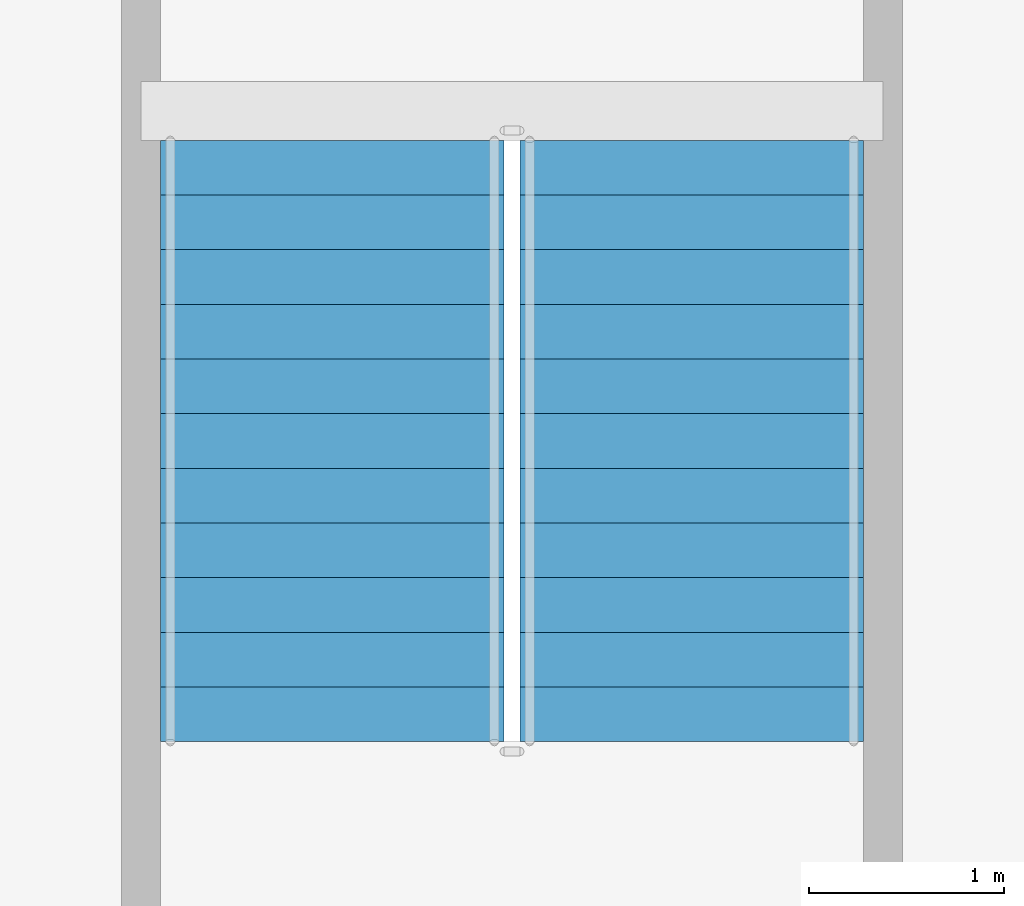
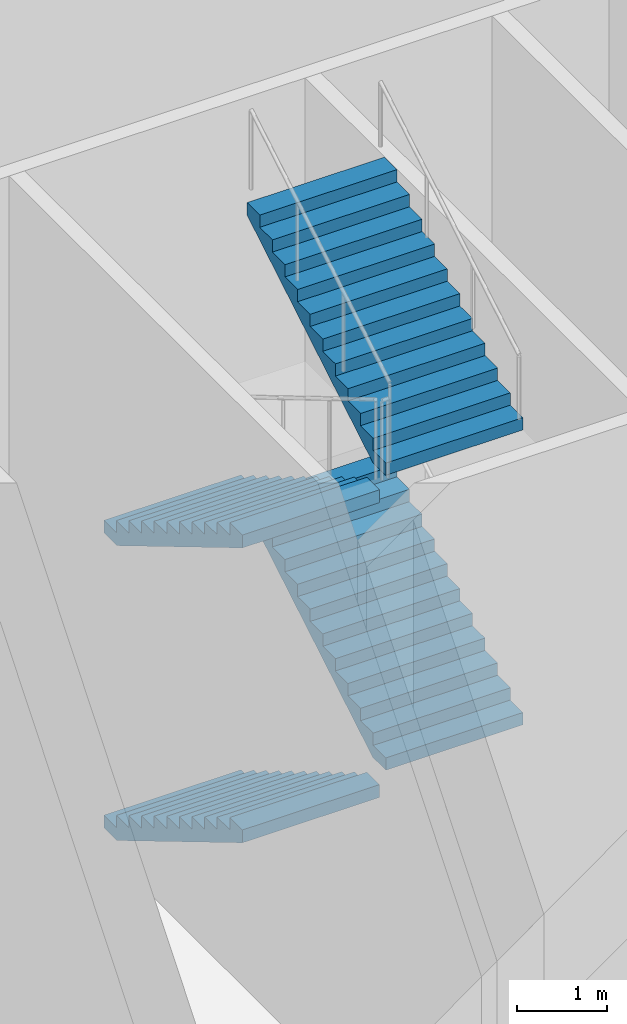
# One storey, part 44 of 55: 4 stair flights, 1 element without a shape of its own.
"""IFC4 building model written with IfcOpenShell, lengths in metres."""

from ifc_helpers import new_model, si_unit, direction, frame, origin, place, context, subcontext, project, spatial, faceted_brep, material, type_object, element, aggregate, save


model = new_model("IFC4")

# Units and contexts
model_context = context("Model", 3, precision=1e-05, world=origin(), true_north=direction((0.0, 1.0)))
body_context = subcontext(model_context, "Body", "Model", "MODEL_VIEW")
ifc_project = project(units=[si_unit("LENGTHUNIT", "METRE"), si_unit("AREAUNIT", "SQUARE_METRE"), si_unit("VOLUMEUNIT", "CUBIC_METRE"), si_unit("PLANEANGLEUNIT", "RADIAN"), si_unit("MASSUNIT", "GRAM", prefix="KILO")], contexts=[model_context])

# Site, building, storey
site_placement = place(None, origin())
site = spatial("IfcSite", under=ifc_project, at=site_placement, CompositionType="ELEMENT")
building_placement = place(site_placement, origin())
building = spatial("IfcBuilding", under=site, at=building_placement, Name="Tarsis Ring Headquarters", CompositionType="ELEMENT")
storey_placement = place(building_placement, frame((0.0, 0.0, 247.199951171875)))
storey = spatial("IfcBuildingStorey", under=building, at=storey_placement, Name="L58", CompositionType="ELEMENT", Elevation=247.199951171875)

# Stair, stair flights
ifc_material_1 = material(Name="Core stair 1760")
stair_type = type_object("IfcStairType", Name="Core stair 1760", PredefinedType="HALF_TURN_STAIR", material=ifc_material_1)
stair_placement = place(storey_placement, origin())
stair = element("IfcStair", 1, at=stair_placement, inside=storey, type_object=stair_type, Name="L58 Exit stair C", PredefinedType="HALF_TURN_STAIR")
ifc_material_2 = material(Name="Concrete C40/50", Category="concrete")
stair_flight_type = type_object("IfcStairFlightType", Name="Core stair flight 1760", PredefinedType="STRAIGHT", material=ifc_material_2)
stair_flight_1_placement = place(storey_placement, frame((-5.419921875, -3.659912109375, 0.0), z_axis=(0.0, 0.0, 1.0), x_axis=(0.0, -1.0, 0.0)))
stair_flight_1 = element("IfcStairFlight", 2, at=stair_flight_1_placement, type_object=stair_flight_type, Name="Stair ST3 flight 1", NumberOfRisers=12, NumberOfTreads=11, PredefinedType="STRAIGHT", RiserHeight=0.166666667, TreadLength=0.28, context=body_context, shape_type="Brep", body=[
    faceted_brep([(0.0, 0.8798828125, 0.0), (0.0, 0.8798828125, 0.166748046875), (0.280029296875, 0.8798828125, 0.166748046875), (0.280029296875, 0.8798828125, 0.333251953125), (0.56005859375, 0.8798828125, 0.333251953125), (0.56005859375, 0.8798828125, 0.5), (0.840087890625, 0.8798828125, 0.5), (0.840087890625, 0.8798828125, 0.666748046875), (1.1201171875, 0.8798828125, 0.666748046875), (1.1201171875, 0.8798828125, 0.833251953125), (1.39990234375, 0.8798828125, 0.833251953125), (1.39990234375, 0.8798828125, 1.0), (1.679931640625, 0.8798828125, 1.0), (1.679931640625, 0.8798828125, 1.166748046875), (1.9599609375, 0.8798828125, 1.166748046875), (1.9599609375, 0.8798828125, 1.333251953125), (2.239990234375, 0.8798828125, 1.333251953125), (2.239990234375, 0.8798828125, 1.5), (2.52001953125, 0.8798828125, 1.5), (2.52001953125, 0.8798828125, 1.666748046875), (2.800048828125, 0.8798828125, 1.666748046875), (2.800048828125, 0.8798828125, 1.833251953125), (3.080078125, 0.8798828125, 1.833251953125), (3.080078125, 0.8798828125, 1.658935546875), (0.29296875, 0.8798828125, 0.0), (0.29296875, -0.8798828125, 0.0), (3.080078125, -0.8798828125, 1.658935546875), (3.080078125, -0.8798828125, 1.833251953125), (2.800048828125, -0.8798828125, 1.833251953125), (2.800048828125, -0.8798828125, 1.666748046875), (2.52001953125, -0.8798828125, 1.666748046875), (2.52001953125, -0.8798828125, 1.5), (2.239990234375, -0.8798828125, 1.5), (2.239990234375, -0.8798828125, 1.333251953125), (1.9599609375, -0.8798828125, 1.333251953125), (1.9599609375, -0.8798828125, 1.166748046875), (1.679931640625, -0.8798828125, 1.166748046875), (1.679931640625, -0.8798828125, 1.0), (1.39990234375, -0.8798828125, 1.0), (1.39990234375, -0.8798828125, 0.833251953125), (1.1201171875, -0.8798828125, 0.833251953125), (1.1201171875, -0.8798828125, 0.666748046875), (0.840087890625, -0.8798828125, 0.666748046875), (0.840087890625, -0.8798828125, 0.5), (0.56005859375, -0.8798828125, 0.5), (0.56005859375, -0.8798828125, 0.333251953125), (0.280029296875, -0.8798828125, 0.333251953125), (0.280029296875, -0.8798828125, 0.166748046875), (0.0, -0.8798828125, 0.166748046875), (0.0, -0.8798828125, 0.0), (0.0, -0.43994140625, 0.166748046875), (0.0, -0.43994140625, 0.0), (0.0, 0.0, 0.166748046875), (0.0, 0.0, 0.0), (0.0, 0.43994140625, 0.166748046875), (0.0, 0.43994140625, 0.0), (0.280029296875, -0.43994140625, 0.166748046875), (0.280029296875, 0.0, 0.166748046875), (0.280029296875, 0.43994140625, 0.166748046875), (0.280029296875, -0.43994140625, 0.333251953125), (0.280029296875, 0.0, 0.333251953125), (0.280029296875, 0.43994140625, 0.333251953125), (0.56005859375, -0.43994140625, 0.333251953125), (0.56005859375, 0.0, 0.333251953125), (0.56005859375, 0.43994140625, 0.333251953125), (0.56005859375, -0.43994140625, 0.5), (0.56005859375, 0.0, 0.5), (0.56005859375, 0.43994140625, 0.5), (0.840087890625, -0.43994140625, 0.5), (0.840087890625, 0.0, 0.5), (0.840087890625, 0.43994140625, 0.5), (0.840087890625, -0.43994140625, 0.666748046875), (0.840087890625, 0.0, 0.666748046875), (0.840087890625, 0.43994140625, 0.666748046875), (1.1201171875, -0.43994140625, 0.666748046875), (1.1201171875, 0.0, 0.666748046875), (1.1201171875, 0.43994140625, 0.666748046875), (1.1201171875, -0.43994140625, 0.833251953125), (1.1201171875, 0.0, 0.833251953125), (1.1201171875, 0.43994140625, 0.833251953125), (1.39990234375, -0.43994140625, 0.833251953125), (1.39990234375, 0.0, 0.833251953125), (1.39990234375, 0.43994140625, 0.833251953125), (1.39990234375, -0.43994140625, 1.0), (1.39990234375, 0.0, 1.0), (1.39990234375, 0.43994140625, 1.0), (1.679931640625, -0.43994140625, 1.0), (1.679931640625, 0.0, 1.0), (1.679931640625, 0.43994140625, 1.0), (1.679931640625, -0.43994140625, 1.166748046875), (1.679931640625, 0.0, 1.166748046875), (1.679931640625, 0.43994140625, 1.166748046875), (1.9599609375, -0.43994140625, 1.166748046875), (1.9599609375, 0.0, 1.166748046875), (1.9599609375, 0.43994140625, 1.166748046875), (1.9599609375, -0.43994140625, 1.333251953125), (1.9599609375, 0.0, 1.333251953125), (1.9599609375, 0.43994140625, 1.333251953125), (2.239990234375, -0.43994140625, 1.333251953125), (2.239990234375, 0.0, 1.333251953125), (2.239990234375, 0.43994140625, 1.333251953125), (2.239990234375, -0.43994140625, 1.5), (2.239990234375, 0.0, 1.5), (2.239990234375, 0.43994140625, 1.5), (2.52001953125, -0.43994140625, 1.5), (2.52001953125, 0.0, 1.5), (2.52001953125, 0.43994140625, 1.5), (2.52001953125, -0.43994140625, 1.666748046875), (2.52001953125, 0.0, 1.666748046875), (2.52001953125, 0.43994140625, 1.666748046875), (2.800048828125, -0.43994140625, 1.666748046875), (2.800048828125, 0.0, 1.666748046875), (2.800048828125, 0.43994140625, 1.666748046875), (2.800048828125, -0.43994140625, 1.833251953125), (2.800048828125, 0.0, 1.833251953125), (2.800048828125, 0.43994140625, 1.833251953125), (3.080078125, -0.43994140625, 1.833251953125), (3.080078125, 0.0, 1.833251953125), (3.080078125, 0.43994140625, 1.833251953125), (3.080078125, -0.43994140625, 1.658935546875), (3.080078125, 0.0, 1.658935546875), (3.080078125, 0.43994140625, 1.658935546875), (0.29296875, -0.43994140625, 0.0), (0.29296875, 0.0, 0.0), (0.29296875, 0.43994140625, 0.0)], [[[0, 1, 2, 3, 4, 5, 6, 7, 8, 9, 10, 11, 12, 13, 14, 15, 16, 17, 18, 19, 20, 21, 22, 23, 24]], [[25, 26, 27, 28, 29, 30, 31, 32, 33, 34, 35, 36, 37, 38, 39, 40, 41, 42, 43, 44, 45, 46, 47, 48, 49]], [[49, 48, 50, 51]], [[51, 50, 52, 53]], [[53, 52, 54, 55]], [[55, 54, 1, 0]], [[48, 47, 56, 50]], [[50, 56, 57, 52]], [[52, 57, 58, 54]], [[54, 58, 2, 1]], [[47, 46, 59, 56]], [[56, 59, 60, 57]], [[57, 60, 61, 58]], [[58, 61, 3, 2]], [[46, 45, 62, 59]], [[59, 62, 63, 60]], [[60, 63, 64, 61]], [[61, 64, 4, 3]], [[45, 44, 65, 62]], [[62, 65, 66, 63]], [[63, 66, 67, 64]], [[64, 67, 5, 4]], [[44, 43, 68, 65]], [[65, 68, 69, 66]], [[66, 69, 70, 67]], [[67, 70, 6, 5]], [[43, 42, 71, 68]], [[68, 71, 72, 69]], [[69, 72, 73, 70]], [[70, 73, 7, 6]], [[42, 41, 74, 71]], [[71, 74, 75, 72]], [[72, 75, 76, 73]], [[73, 76, 8, 7]], [[41, 40, 77, 74]], [[74, 77, 78, 75]], [[75, 78, 79, 76]], [[76, 79, 9, 8]], [[40, 39, 80, 77]], [[77, 80, 81, 78]], [[78, 81, 82, 79]], [[79, 82, 10, 9]], [[39, 38, 83, 80]], [[80, 83, 84, 81]], [[81, 84, 85, 82]], [[82, 85, 11, 10]], [[38, 37, 86, 83]], [[83, 86, 87, 84]], [[84, 87, 88, 85]], [[85, 88, 12, 11]], [[37, 36, 89, 86]], [[86, 89, 90, 87]], [[87, 90, 91, 88]], [[88, 91, 13, 12]], [[36, 35, 92, 89]], [[89, 92, 93, 90]], [[90, 93, 94, 91]], [[91, 94, 14, 13]], [[35, 34, 95, 92]], [[92, 95, 96, 93]], [[93, 96, 97, 94]], [[94, 97, 15, 14]], [[34, 33, 98, 95]], [[95, 98, 99, 96]], [[96, 99, 100, 97]], [[97, 100, 16, 15]], [[33, 32, 101, 98]], [[98, 101, 102, 99]], [[99, 102, 103, 100]], [[100, 103, 17, 16]], [[32, 31, 104, 101]], [[101, 104, 105, 102]], [[102, 105, 106, 103]], [[103, 106, 18, 17]], [[31, 30, 107, 104]], [[104, 107, 108, 105]], [[105, 108, 109, 106]], [[106, 109, 19, 18]], [[30, 29, 110, 107]], [[107, 110, 111, 108]], [[108, 111, 112, 109]], [[109, 112, 20, 19]], [[29, 28, 113, 110]], [[110, 113, 114, 111]], [[111, 114, 115, 112]], [[112, 115, 21, 20]], [[28, 27, 116, 113]], [[113, 116, 117, 114]], [[114, 117, 118, 115]], [[115, 118, 22, 21]], [[27, 26, 119, 116]], [[116, 119, 120, 117]], [[117, 120, 121, 118]], [[118, 121, 23, 22]], [[26, 25, 122, 119]], [[119, 122, 123, 120]], [[120, 123, 124, 121]], [[121, 124, 24, 23]], [[25, 49, 51, 122]], [[122, 51, 53, 123]], [[123, 53, 55, 124]], [[124, 55, 0, 24]]]),
])
stair_flight_2_placement = place(storey_placement, frame((-3.580078125, -6.739990234375, 2.0), z_axis=(0.0, 0.0, 1.0), x_axis=(0.0, 1.0, 0.0)))
stair_flight_2 = element("IfcStairFlight", 3, at=stair_flight_2_placement, type_object=stair_flight_type, Name="Stair ST3 flight 2", NumberOfRisers=12, NumberOfTreads=11, PredefinedType="STRAIGHT", RiserHeight=0.166666667, TreadLength=0.28, context=body_context, shape_type="Brep", body=[
    faceted_brep([(0.0, 0.8798828125, 0.0), (0.0, 0.8798828125, 0.166748046875), (0.280029296875, 0.8798828125, 0.166748046875), (0.280029296875, 0.8798828125, 0.333251953125), (0.56005859375, 0.8798828125, 0.333251953125), (0.56005859375, 0.8798828125, 0.5), (0.840087890625, 0.8798828125, 0.5), (0.840087890625, 0.8798828125, 0.666748046875), (1.1201171875, 0.8798828125, 0.666748046875), (1.1201171875, 0.8798828125, 0.833251953125), (1.39990234375, 0.8798828125, 0.833251953125), (1.39990234375, 0.8798828125, 1.0), (1.679931640625, 0.8798828125, 1.0), (1.679931640625, 0.8798828125, 1.166748046875), (1.9599609375, 0.8798828125, 1.166748046875), (1.9599609375, 0.8798828125, 1.333251953125), (2.239990234375, 0.8798828125, 1.333251953125), (2.239990234375, 0.8798828125, 1.5), (2.52001953125, 0.8798828125, 1.5), (2.52001953125, 0.8798828125, 1.666748046875), (2.800048828125, 0.8798828125, 1.666748046875), (2.800048828125, 0.8798828125, 1.833251953125), (3.080078125, 0.8798828125, 1.833251953125), (3.080078125, 0.8798828125, 1.658935546875), (0.29296875, 0.8798828125, 0.0), (0.29296875, -0.8798828125, 0.0), (3.080078125, -0.8798828125, 1.658935546875), (3.080078125, -0.8798828125, 1.833251953125), (2.800048828125, -0.8798828125, 1.833251953125), (2.800048828125, -0.8798828125, 1.666748046875), (2.52001953125, -0.8798828125, 1.666748046875), (2.52001953125, -0.8798828125, 1.5), (2.239990234375, -0.8798828125, 1.5), (2.239990234375, -0.8798828125, 1.333251953125), (1.9599609375, -0.8798828125, 1.333251953125), (1.9599609375, -0.8798828125, 1.166748046875), (1.679931640625, -0.8798828125, 1.166748046875), (1.679931640625, -0.8798828125, 1.0), (1.39990234375, -0.8798828125, 1.0), (1.39990234375, -0.8798828125, 0.833251953125), (1.1201171875, -0.8798828125, 0.833251953125), (1.1201171875, -0.8798828125, 0.666748046875), (0.840087890625, -0.8798828125, 0.666748046875), (0.840087890625, -0.8798828125, 0.5), (0.56005859375, -0.8798828125, 0.5), (0.56005859375, -0.8798828125, 0.333251953125), (0.280029296875, -0.8798828125, 0.333251953125), (0.280029296875, -0.8798828125, 0.166748046875), (0.0, -0.8798828125, 0.166748046875), (0.0, -0.8798828125, 0.0), (0.0, -0.43994140625, 0.166748046875), (0.0, -0.43994140625, 0.0), (0.0, 0.0, 0.166748046875), (0.0, 0.0, 0.0), (0.0, 0.43994140625, 0.166748046875), (0.0, 0.43994140625, 0.0), (0.280029296875, -0.43994140625, 0.166748046875), (0.280029296875, 0.0, 0.166748046875), (0.280029296875, 0.43994140625, 0.166748046875), (0.280029296875, -0.43994140625, 0.333251953125), (0.280029296875, 0.0, 0.333251953125), (0.280029296875, 0.43994140625, 0.333251953125), (0.56005859375, -0.43994140625, 0.333251953125), (0.56005859375, 0.0, 0.333251953125), (0.56005859375, 0.43994140625, 0.333251953125), (0.56005859375, -0.43994140625, 0.5), (0.56005859375, 0.0, 0.5), (0.56005859375, 0.43994140625, 0.5), (0.840087890625, -0.43994140625, 0.5), (0.840087890625, 0.0, 0.5), (0.840087890625, 0.43994140625, 0.5), (0.840087890625, -0.43994140625, 0.666748046875), (0.840087890625, 0.0, 0.666748046875), (0.840087890625, 0.43994140625, 0.666748046875), (1.1201171875, -0.43994140625, 0.666748046875), (1.1201171875, 0.0, 0.666748046875), (1.1201171875, 0.43994140625, 0.666748046875), (1.1201171875, -0.43994140625, 0.833251953125), (1.1201171875, 0.0, 0.833251953125), (1.1201171875, 0.43994140625, 0.833251953125), (1.39990234375, -0.43994140625, 0.833251953125), (1.39990234375, 0.0, 0.833251953125), (1.39990234375, 0.43994140625, 0.833251953125), (1.39990234375, -0.43994140625, 1.0), (1.39990234375, 0.0, 1.0), (1.39990234375, 0.43994140625, 1.0), (1.679931640625, -0.43994140625, 1.0), (1.679931640625, 0.0, 1.0), (1.679931640625, 0.43994140625, 1.0), (1.679931640625, -0.43994140625, 1.166748046875), (1.679931640625, 0.0, 1.166748046875), (1.679931640625, 0.43994140625, 1.166748046875), (1.9599609375, -0.43994140625, 1.166748046875), (1.9599609375, 0.0, 1.166748046875), (1.9599609375, 0.43994140625, 1.166748046875), (1.9599609375, -0.43994140625, 1.333251953125), (1.9599609375, 0.0, 1.333251953125), (1.9599609375, 0.43994140625, 1.333251953125), (2.239990234375, -0.43994140625, 1.333251953125), (2.239990234375, 0.0, 1.333251953125), (2.239990234375, 0.43994140625, 1.333251953125), (2.239990234375, -0.43994140625, 1.5), (2.239990234375, 0.0, 1.5), (2.239990234375, 0.43994140625, 1.5), (2.52001953125, -0.43994140625, 1.5), (2.52001953125, 0.0, 1.5), (2.52001953125, 0.43994140625, 1.5), (2.52001953125, -0.43994140625, 1.666748046875), (2.52001953125, 0.0, 1.666748046875), (2.52001953125, 0.43994140625, 1.666748046875), (2.800048828125, -0.43994140625, 1.666748046875), (2.800048828125, 0.0, 1.666748046875), (2.800048828125, 0.43994140625, 1.666748046875), (2.800048828125, -0.43994140625, 1.833251953125), (2.800048828125, 0.0, 1.833251953125), (2.800048828125, 0.43994140625, 1.833251953125), (3.080078125, -0.43994140625, 1.833251953125), (3.080078125, 0.0, 1.833251953125), (3.080078125, 0.43994140625, 1.833251953125), (3.080078125, -0.43994140625, 1.658935546875), (3.080078125, 0.0, 1.658935546875), (3.080078125, 0.43994140625, 1.658935546875), (0.29296875, -0.43994140625, 0.0), (0.29296875, 0.0, 0.0), (0.29296875, 0.43994140625, 0.0)], [[[0, 1, 2, 3, 4, 5, 6, 7, 8, 9, 10, 11, 12, 13, 14, 15, 16, 17, 18, 19, 20, 21, 22, 23, 24]], [[25, 26, 27, 28, 29, 30, 31, 32, 33, 34, 35, 36, 37, 38, 39, 40, 41, 42, 43, 44, 45, 46, 47, 48, 49]], [[49, 48, 50, 51]], [[51, 50, 52, 53]], [[53, 52, 54, 55]], [[55, 54, 1, 0]], [[48, 47, 56, 50]], [[50, 56, 57, 52]], [[52, 57, 58, 54]], [[54, 58, 2, 1]], [[47, 46, 59, 56]], [[56, 59, 60, 57]], [[57, 60, 61, 58]], [[58, 61, 3, 2]], [[46, 45, 62, 59]], [[59, 62, 63, 60]], [[60, 63, 64, 61]], [[61, 64, 4, 3]], [[45, 44, 65, 62]], [[62, 65, 66, 63]], [[63, 66, 67, 64]], [[64, 67, 5, 4]], [[44, 43, 68, 65]], [[65, 68, 69, 66]], [[66, 69, 70, 67]], [[67, 70, 6, 5]], [[43, 42, 71, 68]], [[68, 71, 72, 69]], [[69, 72, 73, 70]], [[70, 73, 7, 6]], [[42, 41, 74, 71]], [[71, 74, 75, 72]], [[72, 75, 76, 73]], [[73, 76, 8, 7]], [[41, 40, 77, 74]], [[74, 77, 78, 75]], [[75, 78, 79, 76]], [[76, 79, 9, 8]], [[40, 39, 80, 77]], [[77, 80, 81, 78]], [[78, 81, 82, 79]], [[79, 82, 10, 9]], [[39, 38, 83, 80]], [[80, 83, 84, 81]], [[81, 84, 85, 82]], [[82, 85, 11, 10]], [[38, 37, 86, 83]], [[83, 86, 87, 84]], [[84, 87, 88, 85]], [[85, 88, 12, 11]], [[37, 36, 89, 86]], [[86, 89, 90, 87]], [[87, 90, 91, 88]], [[88, 91, 13, 12]], [[36, 35, 92, 89]], [[89, 92, 93, 90]], [[90, 93, 94, 91]], [[91, 94, 14, 13]], [[35, 34, 95, 92]], [[92, 95, 96, 93]], [[93, 96, 97, 94]], [[94, 97, 15, 14]], [[34, 33, 98, 95]], [[95, 98, 99, 96]], [[96, 99, 100, 97]], [[97, 100, 16, 15]], [[33, 32, 101, 98]], [[98, 101, 102, 99]], [[99, 102, 103, 100]], [[100, 103, 17, 16]], [[32, 31, 104, 101]], [[101, 104, 105, 102]], [[102, 105, 106, 103]], [[103, 106, 18, 17]], [[31, 30, 107, 104]], [[104, 107, 108, 105]], [[105, 108, 109, 106]], [[106, 109, 19, 18]], [[30, 29, 110, 107]], [[107, 110, 111, 108]], [[108, 111, 112, 109]], [[109, 112, 20, 19]], [[29, 28, 113, 110]], [[110, 113, 114, 111]], [[111, 114, 115, 112]], [[112, 115, 21, 20]], [[28, 27, 116, 113]], [[113, 116, 117, 114]], [[114, 117, 118, 115]], [[115, 118, 22, 21]], [[27, 26, 119, 116]], [[116, 119, 120, 117]], [[117, 120, 121, 118]], [[118, 121, 23, 22]], [[26, 25, 122, 119]], [[119, 122, 123, 120]], [[120, 123, 124, 121]], [[121, 124, 24, 23]], [[25, 49, 51, 122]], [[122, 51, 53, 123]], [[123, 53, 55, 124]], [[124, 55, 0, 24]]]),
])
stair_flight_3_placement = place(storey_placement, frame((-5.419921875, -3.659912109375, 4.0), z_axis=(0.0, 0.0, 1.0), x_axis=(0.0, -1.0, 0.0)))
stair_flight_3 = element("IfcStairFlight", 4, at=stair_flight_3_placement, type_object=stair_flight_type, Name="Stair ST3 flight 3", NumberOfRisers=12, NumberOfTreads=11, PredefinedType="STRAIGHT", RiserHeight=0.166666667, TreadLength=0.28, context=body_context, shape_type="Brep", body=[
    faceted_brep([(0.0, 0.8798828125, 0.0), (0.0, 0.8798828125, 0.166748046875), (0.280029296875, 0.8798828125, 0.166748046875), (0.280029296875, 0.8798828125, 0.333251953125), (0.56005859375, 0.8798828125, 0.333251953125), (0.56005859375, 0.8798828125, 0.5), (0.840087890625, 0.8798828125, 0.5), (0.840087890625, 0.8798828125, 0.666748046875), (1.1201171875, 0.8798828125, 0.666748046875), (1.1201171875, 0.8798828125, 0.833251953125), (1.39990234375, 0.8798828125, 0.833251953125), (1.39990234375, 0.8798828125, 1.0), (1.679931640625, 0.8798828125, 1.0), (1.679931640625, 0.8798828125, 1.166748046875), (1.9599609375, 0.8798828125, 1.166748046875), (1.9599609375, 0.8798828125, 1.333251953125), (2.239990234375, 0.8798828125, 1.333251953125), (2.239990234375, 0.8798828125, 1.5), (2.52001953125, 0.8798828125, 1.5), (2.52001953125, 0.8798828125, 1.666748046875), (2.800048828125, 0.8798828125, 1.666748046875), (2.800048828125, 0.8798828125, 1.833251953125), (3.080078125, 0.8798828125, 1.833251953125), (3.080078125, 0.8798828125, 1.658935546875), (0.29296875, 0.8798828125, 0.0), (0.29296875, -0.8798828125, 0.0), (3.080078125, -0.8798828125, 1.658935546875), (3.080078125, -0.8798828125, 1.833251953125), (2.800048828125, -0.8798828125, 1.833251953125), (2.800048828125, -0.8798828125, 1.666748046875), (2.52001953125, -0.8798828125, 1.666748046875), (2.52001953125, -0.8798828125, 1.5), (2.239990234375, -0.8798828125, 1.5), (2.239990234375, -0.8798828125, 1.333251953125), (1.9599609375, -0.8798828125, 1.333251953125), (1.9599609375, -0.8798828125, 1.166748046875), (1.679931640625, -0.8798828125, 1.166748046875), (1.679931640625, -0.8798828125, 1.0), (1.39990234375, -0.8798828125, 1.0), (1.39990234375, -0.8798828125, 0.833251953125), (1.1201171875, -0.8798828125, 0.833251953125), (1.1201171875, -0.8798828125, 0.666748046875), (0.840087890625, -0.8798828125, 0.666748046875), (0.840087890625, -0.8798828125, 0.5), (0.56005859375, -0.8798828125, 0.5), (0.56005859375, -0.8798828125, 0.333251953125), (0.280029296875, -0.8798828125, 0.333251953125), (0.280029296875, -0.8798828125, 0.166748046875), (0.0, -0.8798828125, 0.166748046875), (0.0, -0.8798828125, 0.0), (0.0, -0.43994140625, 0.166748046875), (0.0, -0.43994140625, 0.0), (0.0, 0.0, 0.166748046875), (0.0, 0.0, 0.0), (0.0, 0.43994140625, 0.166748046875), (0.0, 0.43994140625, 0.0), (0.280029296875, -0.43994140625, 0.166748046875), (0.280029296875, 0.0, 0.166748046875), (0.280029296875, 0.43994140625, 0.166748046875), (0.280029296875, -0.43994140625, 0.333251953125), (0.280029296875, 0.0, 0.333251953125), (0.280029296875, 0.43994140625, 0.333251953125), (0.56005859375, -0.43994140625, 0.333251953125), (0.56005859375, 0.0, 0.333251953125), (0.56005859375, 0.43994140625, 0.333251953125), (0.56005859375, -0.43994140625, 0.5), (0.56005859375, 0.0, 0.5), (0.56005859375, 0.43994140625, 0.5), (0.840087890625, -0.43994140625, 0.5), (0.840087890625, 0.0, 0.5), (0.840087890625, 0.43994140625, 0.5), (0.840087890625, -0.43994140625, 0.666748046875), (0.840087890625, 0.0, 0.666748046875), (0.840087890625, 0.43994140625, 0.666748046875), (1.1201171875, -0.43994140625, 0.666748046875), (1.1201171875, 0.0, 0.666748046875), (1.1201171875, 0.43994140625, 0.666748046875), (1.1201171875, -0.43994140625, 0.833251953125), (1.1201171875, 0.0, 0.833251953125), (1.1201171875, 0.43994140625, 0.833251953125), (1.39990234375, -0.43994140625, 0.833251953125), (1.39990234375, 0.0, 0.833251953125), (1.39990234375, 0.43994140625, 0.833251953125), (1.39990234375, -0.43994140625, 1.0), (1.39990234375, 0.0, 1.0), (1.39990234375, 0.43994140625, 1.0), (1.679931640625, -0.43994140625, 1.0), (1.679931640625, 0.0, 1.0), (1.679931640625, 0.43994140625, 1.0), (1.679931640625, -0.43994140625, 1.166748046875), (1.679931640625, 0.0, 1.166748046875), (1.679931640625, 0.43994140625, 1.166748046875), (1.9599609375, -0.43994140625, 1.166748046875), (1.9599609375, 0.0, 1.166748046875), (1.9599609375, 0.43994140625, 1.166748046875), (1.9599609375, -0.43994140625, 1.333251953125), (1.9599609375, 0.0, 1.333251953125), (1.9599609375, 0.43994140625, 1.333251953125), (2.239990234375, -0.43994140625, 1.333251953125), (2.239990234375, 0.0, 1.333251953125), (2.239990234375, 0.43994140625, 1.333251953125), (2.239990234375, -0.43994140625, 1.5), (2.239990234375, 0.0, 1.5), (2.239990234375, 0.43994140625, 1.5), (2.52001953125, -0.43994140625, 1.5), (2.52001953125, 0.0, 1.5), (2.52001953125, 0.43994140625, 1.5), (2.52001953125, -0.43994140625, 1.666748046875), (2.52001953125, 0.0, 1.666748046875), (2.52001953125, 0.43994140625, 1.666748046875), (2.800048828125, -0.43994140625, 1.666748046875), (2.800048828125, 0.0, 1.666748046875), (2.800048828125, 0.43994140625, 1.666748046875), (2.800048828125, -0.43994140625, 1.833251953125), (2.800048828125, 0.0, 1.833251953125), (2.800048828125, 0.43994140625, 1.833251953125), (3.080078125, -0.43994140625, 1.833251953125), (3.080078125, 0.0, 1.833251953125), (3.080078125, 0.43994140625, 1.833251953125), (3.080078125, -0.43994140625, 1.658935546875), (3.080078125, 0.0, 1.658935546875), (3.080078125, 0.43994140625, 1.658935546875), (0.29296875, -0.43994140625, 0.0), (0.29296875, 0.0, 0.0), (0.29296875, 0.43994140625, 0.0)], [[[0, 1, 2, 3, 4, 5, 6, 7, 8, 9, 10, 11, 12, 13, 14, 15, 16, 17, 18, 19, 20, 21, 22, 23, 24]], [[25, 26, 27, 28, 29, 30, 31, 32, 33, 34, 35, 36, 37, 38, 39, 40, 41, 42, 43, 44, 45, 46, 47, 48, 49]], [[49, 48, 50, 51]], [[51, 50, 52, 53]], [[53, 52, 54, 55]], [[55, 54, 1, 0]], [[48, 47, 56, 50]], [[50, 56, 57, 52]], [[52, 57, 58, 54]], [[54, 58, 2, 1]], [[47, 46, 59, 56]], [[56, 59, 60, 57]], [[57, 60, 61, 58]], [[58, 61, 3, 2]], [[46, 45, 62, 59]], [[59, 62, 63, 60]], [[60, 63, 64, 61]], [[61, 64, 4, 3]], [[45, 44, 65, 62]], [[62, 65, 66, 63]], [[63, 66, 67, 64]], [[64, 67, 5, 4]], [[44, 43, 68, 65]], [[65, 68, 69, 66]], [[66, 69, 70, 67]], [[67, 70, 6, 5]], [[43, 42, 71, 68]], [[68, 71, 72, 69]], [[69, 72, 73, 70]], [[70, 73, 7, 6]], [[42, 41, 74, 71]], [[71, 74, 75, 72]], [[72, 75, 76, 73]], [[73, 76, 8, 7]], [[41, 40, 77, 74]], [[74, 77, 78, 75]], [[75, 78, 79, 76]], [[76, 79, 9, 8]], [[40, 39, 80, 77]], [[77, 80, 81, 78]], [[78, 81, 82, 79]], [[79, 82, 10, 9]], [[39, 38, 83, 80]], [[80, 83, 84, 81]], [[81, 84, 85, 82]], [[82, 85, 11, 10]], [[38, 37, 86, 83]], [[83, 86, 87, 84]], [[84, 87, 88, 85]], [[85, 88, 12, 11]], [[37, 36, 89, 86]], [[86, 89, 90, 87]], [[87, 90, 91, 88]], [[88, 91, 13, 12]], [[36, 35, 92, 89]], [[89, 92, 93, 90]], [[90, 93, 94, 91]], [[91, 94, 14, 13]], [[35, 34, 95, 92]], [[92, 95, 96, 93]], [[93, 96, 97, 94]], [[94, 97, 15, 14]], [[34, 33, 98, 95]], [[95, 98, 99, 96]], [[96, 99, 100, 97]], [[97, 100, 16, 15]], [[33, 32, 101, 98]], [[98, 101, 102, 99]], [[99, 102, 103, 100]], [[100, 103, 17, 16]], [[32, 31, 104, 101]], [[101, 104, 105, 102]], [[102, 105, 106, 103]], [[103, 106, 18, 17]], [[31, 30, 107, 104]], [[104, 107, 108, 105]], [[105, 108, 109, 106]], [[106, 109, 19, 18]], [[30, 29, 110, 107]], [[107, 110, 111, 108]], [[108, 111, 112, 109]], [[109, 112, 20, 19]], [[29, 28, 113, 110]], [[110, 113, 114, 111]], [[111, 114, 115, 112]], [[112, 115, 21, 20]], [[28, 27, 116, 113]], [[113, 116, 117, 114]], [[114, 117, 118, 115]], [[115, 118, 22, 21]], [[27, 26, 119, 116]], [[116, 119, 120, 117]], [[117, 120, 121, 118]], [[118, 121, 23, 22]], [[26, 25, 122, 119]], [[119, 122, 123, 120]], [[120, 123, 124, 121]], [[121, 124, 24, 23]], [[25, 49, 51, 122]], [[122, 51, 53, 123]], [[123, 53, 55, 124]], [[124, 55, 0, 24]]]),
])
stair_flight_4_placement = place(storey_placement, frame((-3.580078125, -6.739990234375, 6.0), z_axis=(0.0, 0.0, 1.0), x_axis=(0.0, 1.0, 0.0)))
stair_flight_4 = element("IfcStairFlight", 5, at=stair_flight_4_placement, type_object=stair_flight_type, Name="Stair ST3 flight 4", NumberOfRisers=12, NumberOfTreads=11, PredefinedType="STRAIGHT", RiserHeight=0.166666667, TreadLength=0.28, context=body_context, shape_type="Brep", body=[
    faceted_brep([(0.0, 0.8798828125, 0.0), (0.0, 0.8798828125, 0.166748046875), (0.280029296875, 0.8798828125, 0.166748046875), (0.280029296875, 0.8798828125, 0.333251953125), (0.56005859375, 0.8798828125, 0.333251953125), (0.56005859375, 0.8798828125, 0.5), (0.840087890625, 0.8798828125, 0.5), (0.840087890625, 0.8798828125, 0.666748046875), (1.1201171875, 0.8798828125, 0.666748046875), (1.1201171875, 0.8798828125, 0.833251953125), (1.39990234375, 0.8798828125, 0.833251953125), (1.39990234375, 0.8798828125, 1.0), (1.679931640625, 0.8798828125, 1.0), (1.679931640625, 0.8798828125, 1.166748046875), (1.9599609375, 0.8798828125, 1.166748046875), (1.9599609375, 0.8798828125, 1.333251953125), (2.239990234375, 0.8798828125, 1.333251953125), (2.239990234375, 0.8798828125, 1.5), (2.52001953125, 0.8798828125, 1.5), (2.52001953125, 0.8798828125, 1.666748046875), (2.800048828125, 0.8798828125, 1.666748046875), (2.800048828125, 0.8798828125, 1.833251953125), (3.080078125, 0.8798828125, 1.833251953125), (3.080078125, 0.8798828125, 1.658935546875), (0.29296875, 0.8798828125, 0.0), (0.29296875, -0.8798828125, 0.0), (3.080078125, -0.8798828125, 1.658935546875), (3.080078125, -0.8798828125, 1.833251953125), (2.800048828125, -0.8798828125, 1.833251953125), (2.800048828125, -0.8798828125, 1.666748046875), (2.52001953125, -0.8798828125, 1.666748046875), (2.52001953125, -0.8798828125, 1.5), (2.239990234375, -0.8798828125, 1.5), (2.239990234375, -0.8798828125, 1.333251953125), (1.9599609375, -0.8798828125, 1.333251953125), (1.9599609375, -0.8798828125, 1.166748046875), (1.679931640625, -0.8798828125, 1.166748046875), (1.679931640625, -0.8798828125, 1.0), (1.39990234375, -0.8798828125, 1.0), (1.39990234375, -0.8798828125, 0.833251953125), (1.1201171875, -0.8798828125, 0.833251953125), (1.1201171875, -0.8798828125, 0.666748046875), (0.840087890625, -0.8798828125, 0.666748046875), (0.840087890625, -0.8798828125, 0.5), (0.56005859375, -0.8798828125, 0.5), (0.56005859375, -0.8798828125, 0.333251953125), (0.280029296875, -0.8798828125, 0.333251953125), (0.280029296875, -0.8798828125, 0.166748046875), (0.0, -0.8798828125, 0.166748046875), (0.0, -0.8798828125, 0.0), (0.0, -0.43994140625, 0.166748046875), (0.0, -0.43994140625, 0.0), (0.0, 0.0, 0.166748046875), (0.0, 0.0, 0.0), (0.0, 0.43994140625, 0.166748046875), (0.0, 0.43994140625, 0.0), (0.280029296875, -0.43994140625, 0.166748046875), (0.280029296875, 0.0, 0.166748046875), (0.280029296875, 0.43994140625, 0.166748046875), (0.280029296875, -0.43994140625, 0.333251953125), (0.280029296875, 0.0, 0.333251953125), (0.280029296875, 0.43994140625, 0.333251953125), (0.56005859375, -0.43994140625, 0.333251953125), (0.56005859375, 0.0, 0.333251953125), (0.56005859375, 0.43994140625, 0.333251953125), (0.56005859375, -0.43994140625, 0.5), (0.56005859375, 0.0, 0.5), (0.56005859375, 0.43994140625, 0.5), (0.840087890625, -0.43994140625, 0.5), (0.840087890625, 0.0, 0.5), (0.840087890625, 0.43994140625, 0.5), (0.840087890625, -0.43994140625, 0.666748046875), (0.840087890625, 0.0, 0.666748046875), (0.840087890625, 0.43994140625, 0.666748046875), (1.1201171875, -0.43994140625, 0.666748046875), (1.1201171875, 0.0, 0.666748046875), (1.1201171875, 0.43994140625, 0.666748046875), (1.1201171875, -0.43994140625, 0.833251953125), (1.1201171875, 0.0, 0.833251953125), (1.1201171875, 0.43994140625, 0.833251953125), (1.39990234375, -0.43994140625, 0.833251953125), (1.39990234375, 0.0, 0.833251953125), (1.39990234375, 0.43994140625, 0.833251953125), (1.39990234375, -0.43994140625, 1.0), (1.39990234375, 0.0, 1.0), (1.39990234375, 0.43994140625, 1.0), (1.679931640625, -0.43994140625, 1.0), (1.679931640625, 0.0, 1.0), (1.679931640625, 0.43994140625, 1.0), (1.679931640625, -0.43994140625, 1.166748046875), (1.679931640625, 0.0, 1.166748046875), (1.679931640625, 0.43994140625, 1.166748046875), (1.9599609375, -0.43994140625, 1.166748046875), (1.9599609375, 0.0, 1.166748046875), (1.9599609375, 0.43994140625, 1.166748046875), (1.9599609375, -0.43994140625, 1.333251953125), (1.9599609375, 0.0, 1.333251953125), (1.9599609375, 0.43994140625, 1.333251953125), (2.239990234375, -0.43994140625, 1.333251953125), (2.239990234375, 0.0, 1.333251953125), (2.239990234375, 0.43994140625, 1.333251953125), (2.239990234375, -0.43994140625, 1.5), (2.239990234375, 0.0, 1.5), (2.239990234375, 0.43994140625, 1.5), (2.52001953125, -0.43994140625, 1.5), (2.52001953125, 0.0, 1.5), (2.52001953125, 0.43994140625, 1.5), (2.52001953125, -0.43994140625, 1.666748046875), (2.52001953125, 0.0, 1.666748046875), (2.52001953125, 0.43994140625, 1.666748046875), (2.800048828125, -0.43994140625, 1.666748046875), (2.800048828125, 0.0, 1.666748046875), (2.800048828125, 0.43994140625, 1.666748046875), (2.800048828125, -0.43994140625, 1.833251953125), (2.800048828125, 0.0, 1.833251953125), (2.800048828125, 0.43994140625, 1.833251953125), (3.080078125, -0.43994140625, 1.833251953125), (3.080078125, 0.0, 1.833251953125), (3.080078125, 0.43994140625, 1.833251953125), (3.080078125, -0.43994140625, 1.658935546875), (3.080078125, 0.0, 1.658935546875), (3.080078125, 0.43994140625, 1.658935546875), (0.29296875, -0.43994140625, 0.0), (0.29296875, 0.0, 0.0), (0.29296875, 0.43994140625, 0.0)], [[[0, 1, 2, 3, 4, 5, 6, 7, 8, 9, 10, 11, 12, 13, 14, 15, 16, 17, 18, 19, 20, 21, 22, 23, 24]], [[25, 26, 27, 28, 29, 30, 31, 32, 33, 34, 35, 36, 37, 38, 39, 40, 41, 42, 43, 44, 45, 46, 47, 48, 49]], [[49, 48, 50, 51]], [[51, 50, 52, 53]], [[53, 52, 54, 55]], [[55, 54, 1, 0]], [[48, 47, 56, 50]], [[50, 56, 57, 52]], [[52, 57, 58, 54]], [[54, 58, 2, 1]], [[47, 46, 59, 56]], [[56, 59, 60, 57]], [[57, 60, 61, 58]], [[58, 61, 3, 2]], [[46, 45, 62, 59]], [[59, 62, 63, 60]], [[60, 63, 64, 61]], [[61, 64, 4, 3]], [[45, 44, 65, 62]], [[62, 65, 66, 63]], [[63, 66, 67, 64]], [[64, 67, 5, 4]], [[44, 43, 68, 65]], [[65, 68, 69, 66]], [[66, 69, 70, 67]], [[67, 70, 6, 5]], [[43, 42, 71, 68]], [[68, 71, 72, 69]], [[69, 72, 73, 70]], [[70, 73, 7, 6]], [[42, 41, 74, 71]], [[71, 74, 75, 72]], [[72, 75, 76, 73]], [[73, 76, 8, 7]], [[41, 40, 77, 74]], [[74, 77, 78, 75]], [[75, 78, 79, 76]], [[76, 79, 9, 8]], [[40, 39, 80, 77]], [[77, 80, 81, 78]], [[78, 81, 82, 79]], [[79, 82, 10, 9]], [[39, 38, 83, 80]], [[80, 83, 84, 81]], [[81, 84, 85, 82]], [[82, 85, 11, 10]], [[38, 37, 86, 83]], [[83, 86, 87, 84]], [[84, 87, 88, 85]], [[85, 88, 12, 11]], [[37, 36, 89, 86]], [[86, 89, 90, 87]], [[87, 90, 91, 88]], [[88, 91, 13, 12]], [[36, 35, 92, 89]], [[89, 92, 93, 90]], [[90, 93, 94, 91]], [[91, 94, 14, 13]], [[35, 34, 95, 92]], [[92, 95, 96, 93]], [[93, 96, 97, 94]], [[94, 97, 15, 14]], [[34, 33, 98, 95]], [[95, 98, 99, 96]], [[96, 99, 100, 97]], [[97, 100, 16, 15]], [[33, 32, 101, 98]], [[98, 101, 102, 99]], [[99, 102, 103, 100]], [[100, 103, 17, 16]], [[32, 31, 104, 101]], [[101, 104, 105, 102]], [[102, 105, 106, 103]], [[103, 106, 18, 17]], [[31, 30, 107, 104]], [[104, 107, 108, 105]], [[105, 108, 109, 106]], [[106, 109, 19, 18]], [[30, 29, 110, 107]], [[107, 110, 111, 108]], [[108, 111, 112, 109]], [[109, 112, 20, 19]], [[29, 28, 113, 110]], [[110, 113, 114, 111]], [[111, 114, 115, 112]], [[112, 115, 21, 20]], [[28, 27, 116, 113]], [[113, 116, 117, 114]], [[114, 117, 118, 115]], [[115, 118, 22, 21]], [[27, 26, 119, 116]], [[116, 119, 120, 117]], [[117, 120, 121, 118]], [[118, 121, 23, 22]], [[26, 25, 122, 119]], [[119, 122, 123, 120]], [[120, 123, 124, 121]], [[121, 124, 24, 23]], [[25, 49, 51, 122]], [[122, 51, 53, 123]], [[123, 53, 55, 124]], [[124, 55, 0, 24]]]),
])
aggregate(stair, [stair_flight_1, stair_flight_2, stair_flight_3, stair_flight_4])

save(model, "model.ifc")
